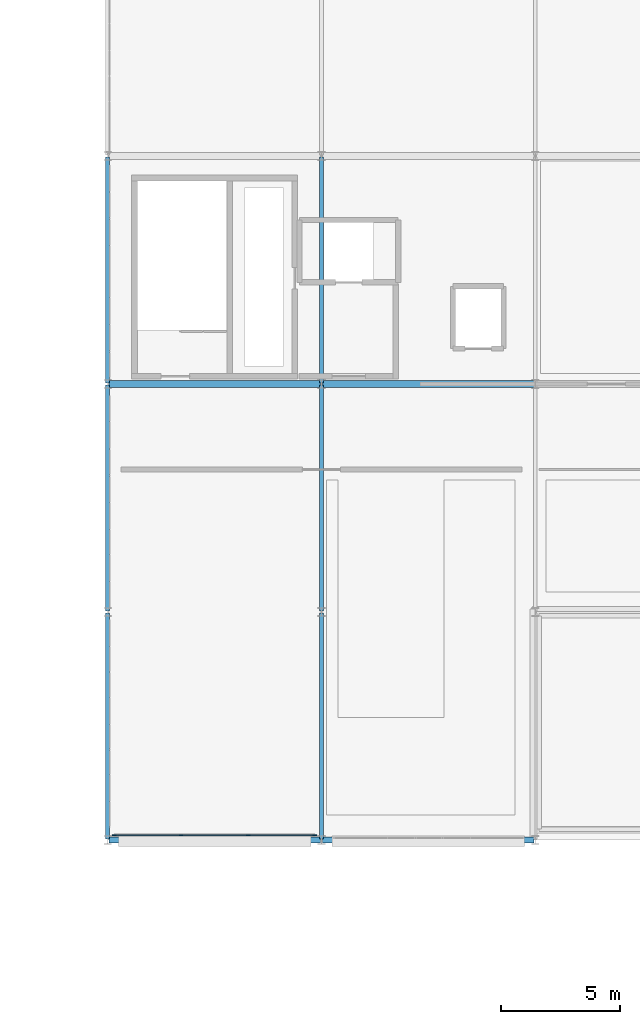
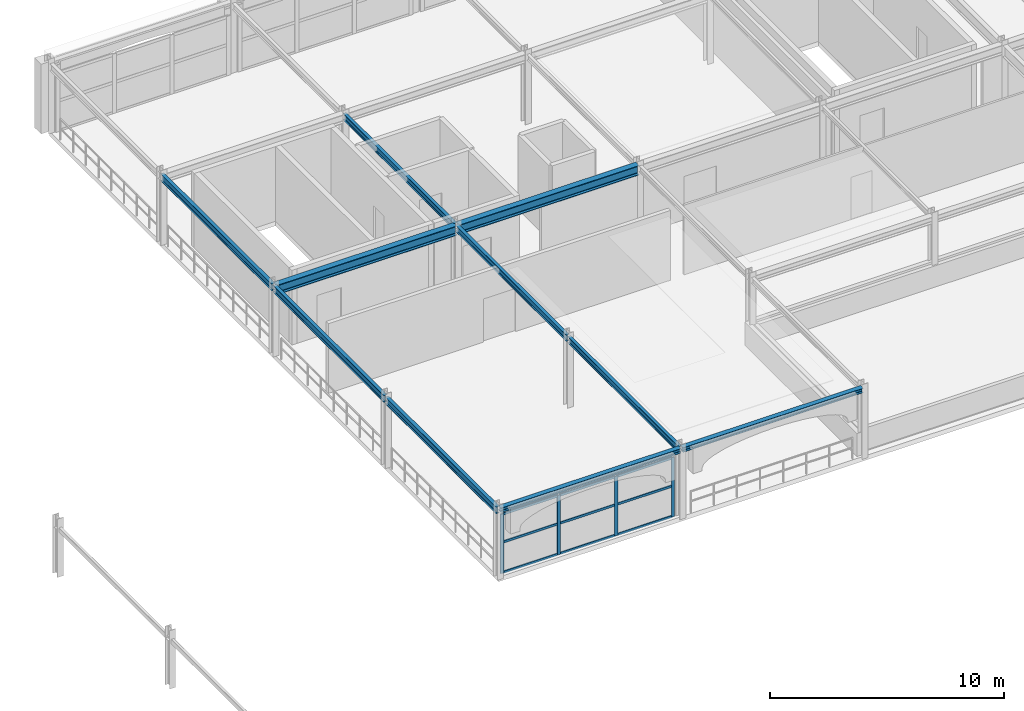
# One storey, part 10 of 25: 13 members, 10 beams, 1 element without a shape of its own.
"""IFC4 building model written with IfcOpenShell, lengths in metres."""

from ifc_helpers import new_model, si_unit, direction, frame, origin, origin_2d, place, context, subcontext, project, spatial, rectangle, i_section, extrude, material, layer, layer_set, material_profile, profile_set, type_object, element, aggregate, save


model = new_model("IFC4")

# Units and contexts
model_context = context("Model", 3, precision=1e-05, world=origin(), true_north=direction((0.0, 1.0)))
body_context = subcontext(model_context, "Body", "Model", "MODEL_VIEW")
ifc_project = project(units=[si_unit("LENGTHUNIT", "METRE"), si_unit("AREAUNIT", "SQUARE_METRE"), si_unit("VOLUMEUNIT", "CUBIC_METRE"), si_unit("PLANEANGLEUNIT", "RADIAN"), si_unit("MASSUNIT", "GRAM", prefix="KILO")], contexts=[model_context])

# Site, building, storey
site_placement = place(None, origin())
site = spatial("IfcSite", under=ifc_project, at=site_placement, CompositionType="ELEMENT")
building_placement = place(site_placement, origin())
building = spatial("IfcBuilding", under=site, at=building_placement, Name="Myrtia Square Station", CompositionType="ELEMENT")
storey_placement = place(building_placement, frame((0.0, 0.0, 18.89990234375)))
storey = spatial("IfcBuildingStorey", under=building, at=storey_placement, Name="L04", CompositionType="ELEMENT", Elevation=18.89990234375)

# Beams
ifc_material_1 = material(Name="Steel S355", Category="steel")
ifc_material_profile_1 = material_profile(ifc_material_1, i_section(OverallWidth=0.300048828125, OverallDepth=0.5, WebThickness=0.014404296875, FlangeThickness=0.028076171875, FilletRadius=0.027099609375, at=origin_2d()), Name="HEB 500")
ifc_profile_set_1 = profile_set([ifc_material_profile_1], Name="Steel S355")
beam_type_1 = type_object("IfcBeamType", Name="BM-HEB500", PredefinedType="BEAM", material=ifc_profile_set_1)
for number, where, z_axis, x_axis, name in (
    (1, (126.050048828125, 105.60009765625, 3.405029296875), (1.0, 0.0, 0.0), (0.0, 1.0, 0.0), "Structural girder BMX-L04-0880"),
    (2, (135.050048828125, 105.60009765625, 3.405029296875), (1.0, 0.0, 0.0), (0.0, 1.0, 0.0), "Structural girder BMX-L04-0881"),
):
    element("IfcBeam", number, at=place(storey_placement, frame(where, z_axis=z_axis, x_axis=x_axis)), inside=storey, type_object=beam_type_1, Name=name, PredefinedType="BEAM", context=body_context, shape_type="SweptSolid", body=[
        extrude(i_section(OverallWidth=0.300048828125, OverallDepth=0.5, WebThickness=0.014404296875, FlangeThickness=0.028076171875, FilletRadius=0.027099609375, at=origin_2d()), origin(), (0.0, 0.0, 1.0), 8.89990234375),
    ])
ifc_material_profile_2 = material_profile(ifc_material_1, i_section(OverallWidth=0.159912109375, OverallDepth=0.330078125, WebThickness=0.007568359375, FlangeThickness=0.011474609375, FilletRadius=0.01806640625, at=origin_2d()), Name="IPE 330")
ifc_profile_set_2 = profile_set([ifc_material_profile_2], Name="Steel S355")
beam_type_2 = type_object("IfcBeamType", Name="BM-IPE330", PredefinedType="BEAM", material=ifc_profile_set_2)
for number, where, z_axis, x_axis, name in (
    (3, (135.0, 86.449951171875, 3.489990234375), (0.0, 1.0, 0.0), (-1.0, 0.0, 0.0), "Structural girder BMY-L04-0898"),
    (4, (135.0, 96.050048828125, 3.489990234375), (0.0, 1.0, 0.0), (-1.0, 0.0, 0.0), "Structural girder BMY-L04-0899"),
    (5, (135.0, 105.64990234375, 3.489990234375), (0.0, 1.0, 0.0), (-1.0, 0.0, 0.0), "Structural girder BMY-L04-0900"),
):
    element("IfcBeam", number, at=place(storey_placement, frame(where, z_axis=z_axis, x_axis=x_axis)), inside=storey, type_object=beam_type_2, Name=name, PredefinedType="BEAM", context=body_context, shape_type="SweptSolid", body=[
        extrude(i_section(OverallWidth=0.159912109375, OverallDepth=0.330078125, WebThickness=0.007568359375, FlangeThickness=0.011474609375, FilletRadius=0.01806640625, at=origin_2d()), origin(), (0.0, 0.0, 1.0), 9.5),
    ])
ifc_material_profile_3 = material_profile(ifc_material_1, i_section(OverallWidth=0.169921875, OverallDepth=0.360107421875, WebThickness=0.008056640625, FlangeThickness=0.0126953125, FilletRadius=0.01806640625, at=origin_2d()), Name="IPE 360")
ifc_profile_set_3 = profile_set([ifc_material_profile_3], Name="Steel S355")
beam_type_3 = type_object("IfcBeamType", Name="BM-IPE360", PredefinedType="BEAM", material=ifc_profile_set_3)
for number, where, z_axis, x_axis, name in (
    (6, (126.0, 86.449951171875, 3.47509765625), (0.0, 1.0, 0.0), (-1.0, 0.0, 0.0), "Structural girder BMY-L04-0894"),
    (7, (126.0, 96.050048828125, 3.47509765625), (0.0, 1.0, 0.0), (-1.0, 0.0, 0.0), "Structural girder BMY-L04-0895"),
    (8, (126.0, 105.64990234375, 3.47509765625), (0.0, 1.0, 0.0), (-1.0, 0.0, 0.0), "Structural girder BMY-L04-0896"),
):
    element("IfcBeam", number, at=place(storey_placement, frame(where, z_axis=z_axis, x_axis=x_axis)), inside=storey, type_object=beam_type_3, Name=name, PredefinedType="BEAM", context=body_context, shape_type="SweptSolid", body=[
        extrude(i_section(OverallWidth=0.169921875, OverallDepth=0.360107421875, WebThickness=0.008056640625, FlangeThickness=0.0126953125, FilletRadius=0.01806640625, at=origin_2d()), origin(), (0.0, 0.0, 1.0), 9.5),
    ])

# Curtain wall, members
ifc_material_2 = material(Name="Dark bronze anodised aluminium", Category="aluminium")
ifc_layer = layer(ifc_material_2, 0.159912109375, Name="Dark bronze anodised aluminium")
ifc_layer_set = layer_set([ifc_layer], Name="Dark bronze anodised aluminium")
curtain_wall_type = type_object("IfcCurtainWallType", Name="CW-TYPE-43-850x310", PredefinedType="USERDEFINED", material=ifc_layer_set)
curtain_wall_placement = place(storey_placement, origin())
curtain_wall = element("IfcCurtainWall", 9, at=curtain_wall_placement, inside=storey, type_object=curtain_wall_type, Name="Concourse curtain wall CW-L04-122", ObjectType="CONCOURSE CURTAIN WALL", PredefinedType="USERDEFINED")
ifc_material_profile_4 = material_profile(ifc_material_2, rectangle(XDim=0.06005859375, YDim=0.159912109375, at=origin_2d()), Name="ALU-M 60x160")
ifc_profile_set_4 = profile_set([ifc_material_profile_4], Name="Dark bronze anodised aluminium")
member_type_1 = type_object("IfcMemberType", Name="CWM-60x160", PredefinedType="MULLION", material=ifc_profile_set_4)
member_1_placement = place(storey_placement, frame((126.280029296875, 86.60009765625, 0.0), z_axis=(0.0, 0.0, 1.0), x_axis=(0.0, 1.0, 0.0)))
member_1 = element("IfcMember", 10, at=member_1_placement, type_object=member_type_1, Name="CW-122 mullion 1", PredefinedType="MULLION", context=body_context, shape_type="SweptSolid", body=[
    extrude(rectangle(XDim=0.06005859375, YDim=0.159912109375, at=origin_2d()), origin(), (0.0, 0.0, 1.0), 3.10009765625),
])
member_2_placement = place(storey_placement, frame((129.083251953125, 86.60009765625, 0.0), z_axis=(0.0, 0.0, 1.0), x_axis=(0.0, 1.0, 0.0)))
member_2 = element("IfcMember", 11, at=member_2_placement, type_object=member_type_1, Name="CW-122 mullion 2", PredefinedType="MULLION", context=body_context, shape_type="SweptSolid", body=[
    extrude(rectangle(XDim=0.06005859375, YDim=0.159912109375, at=origin_2d()), origin(), (0.0, 0.0, 1.0), 3.10009765625),
])
member_3_placement = place(storey_placement, frame((131.916748046875, 86.60009765625, 0.0), z_axis=(0.0, 0.0, 1.0), x_axis=(0.0, 1.0, 0.0)))
member_3 = element("IfcMember", 12, at=member_3_placement, type_object=member_type_1, Name="CW-122 mullion 3", PredefinedType="MULLION", context=body_context, shape_type="SweptSolid", body=[
    extrude(rectangle(XDim=0.06005859375, YDim=0.159912109375, at=origin_2d()), origin(), (0.0, 0.0, 1.0), 3.10009765625),
])
member_4_placement = place(storey_placement, frame((134.719970703125, 86.60009765625, 0.0), z_axis=(0.0, 0.0, 1.0), x_axis=(0.0, 1.0, 0.0)))
member_4 = element("IfcMember", 13, at=member_4_placement, type_object=member_type_1, Name="CW-122 mullion 4", PredefinedType="MULLION", context=body_context, shape_type="SweptSolid", body=[
    extrude(rectangle(XDim=0.06005859375, YDim=0.159912109375, at=origin_2d()), origin(), (0.0, 0.0, 1.0), 3.10009765625),
])
ifc_material_profile_5 = material_profile(ifc_material_2, rectangle(XDim=0.06005859375, YDim=0.1201171875, at=origin_2d()), Name="ALU-T 60x120")
ifc_profile_set_5 = profile_set([ifc_material_profile_5], Name="Dark bronze anodised aluminium")
member_type_2 = type_object("IfcMemberType", Name="CWT-60x120", PredefinedType="USERDEFINED", material=ifc_profile_set_5)
member_5_placement = place(storey_placement, frame((126.31005859375, 86.60009765625, 0.030029296875), z_axis=(1.0, 0.0, 0.0), x_axis=(0.0, 1.0, 0.0)))
member_5 = element("IfcMember", 14, at=member_5_placement, type_object=member_type_2, Name="CW-122 transom 1.1", ObjectType="TRANSOM", PredefinedType="USERDEFINED", context=body_context, shape_type="SweptSolid", body=[
    extrude(rectangle(XDim=0.06005859375, YDim=0.1201171875, at=origin_2d()), origin(), (0.0, 0.0, 1.0), 2.7431640625),
])
member_6_placement = place(storey_placement, frame((126.31005859375, 86.60009765625, 1.612060546875), z_axis=(1.0, 0.0, 0.0), x_axis=(0.0, 1.0, 0.0)))
member_6 = element("IfcMember", 15, at=member_6_placement, type_object=member_type_2, Name="CW-122 transom 1.2", ObjectType="TRANSOM", PredefinedType="USERDEFINED", context=body_context, shape_type="SweptSolid", body=[
    extrude(rectangle(XDim=0.06005859375, YDim=0.1201171875, at=origin_2d()), origin(), (0.0, 0.0, 1.0), 2.7431640625),
])
member_7_placement = place(storey_placement, frame((126.31005859375, 86.60009765625, 3.070068359375), z_axis=(1.0, 0.0, 0.0), x_axis=(0.0, 1.0, 0.0)))
member_7 = element("IfcMember", 16, at=member_7_placement, type_object=member_type_2, Name="CW-122 transom 1.3", ObjectType="TRANSOM", PredefinedType="USERDEFINED", context=body_context, shape_type="SweptSolid", body=[
    extrude(rectangle(XDim=0.06005859375, YDim=0.1201171875, at=origin_2d()), origin(), (0.0, 0.0, 1.0), 2.7431640625),
])
member_8_placement = place(storey_placement, frame((129.11328125, 86.60009765625, 0.030029296875), z_axis=(1.0, 0.0, 0.0), x_axis=(0.0, 1.0, 0.0)))
member_8 = element("IfcMember", 17, at=member_8_placement, type_object=member_type_2, Name="CW-122 transom 2.1", ObjectType="TRANSOM", PredefinedType="USERDEFINED", context=body_context, shape_type="SweptSolid", body=[
    extrude(rectangle(XDim=0.06005859375, YDim=0.1201171875, at=origin_2d()), origin(), (0.0, 0.0, 1.0), 2.7734375),
])
member_9_placement = place(storey_placement, frame((129.11328125, 86.60009765625, 1.612060546875), z_axis=(1.0, 0.0, 0.0), x_axis=(0.0, 1.0, 0.0)))
member_9 = element("IfcMember", 18, at=member_9_placement, type_object=member_type_2, Name="CW-122 transom 2.2", ObjectType="TRANSOM", PredefinedType="USERDEFINED", context=body_context, shape_type="SweptSolid", body=[
    extrude(rectangle(XDim=0.06005859375, YDim=0.1201171875, at=origin_2d()), origin(), (0.0, 0.0, 1.0), 2.7734375),
])
member_10_placement = place(storey_placement, frame((129.11328125, 86.60009765625, 3.070068359375), z_axis=(1.0, 0.0, 0.0), x_axis=(0.0, 1.0, 0.0)))
member_10 = element("IfcMember", 19, at=member_10_placement, type_object=member_type_2, Name="CW-122 transom 2.3", ObjectType="TRANSOM", PredefinedType="USERDEFINED", context=body_context, shape_type="SweptSolid", body=[
    extrude(rectangle(XDim=0.06005859375, YDim=0.1201171875, at=origin_2d()), origin(), (0.0, 0.0, 1.0), 2.7734375),
])
member_11_placement = place(storey_placement, frame((131.94677734375, 86.60009765625, 0.030029296875), z_axis=(1.0, 0.0, 0.0), x_axis=(0.0, 1.0, 0.0)))
member_11 = element("IfcMember", 20, at=member_11_placement, type_object=member_type_2, Name="CW-122 transom 3.1", ObjectType="TRANSOM", PredefinedType="USERDEFINED", context=body_context, shape_type="SweptSolid", body=[
    extrude(rectangle(XDim=0.06005859375, YDim=0.1201171875, at=origin_2d()), origin(), (0.0, 0.0, 1.0), 2.7431640625),
])
member_12_placement = place(storey_placement, frame((131.94677734375, 86.60009765625, 1.612060546875), z_axis=(1.0, 0.0, 0.0), x_axis=(0.0, 1.0, 0.0)))
member_12 = element("IfcMember", 21, at=member_12_placement, type_object=member_type_2, Name="CW-122 transom 3.2", ObjectType="TRANSOM", PredefinedType="USERDEFINED", context=body_context, shape_type="SweptSolid", body=[
    extrude(rectangle(XDim=0.06005859375, YDim=0.1201171875, at=origin_2d()), origin(), (0.0, 0.0, 1.0), 2.7431640625),
])
member_13_placement = place(storey_placement, frame((131.94677734375, 86.60009765625, 3.070068359375), z_axis=(1.0, 0.0, 0.0), x_axis=(0.0, 1.0, 0.0)))
member_13 = element("IfcMember", 22, at=member_13_placement, type_object=member_type_2, Name="CW-122 transom 3.3", ObjectType="TRANSOM", PredefinedType="USERDEFINED", context=body_context, shape_type="SweptSolid", body=[
    extrude(rectangle(XDim=0.06005859375, YDim=0.1201171875, at=origin_2d()), origin(), (0.0, 0.0, 1.0), 2.7431640625),
])
aggregate(curtain_wall, [member_1, member_2, member_3, member_4, member_5, member_6, member_7, member_8, member_9, member_10, member_11, member_12, member_13])

# Beams
ifc_material_profile_6 = material_profile(ifc_material_1, i_section(OverallWidth=0.239990234375, OverallDepth=0.239990234375, WebThickness=0.010009765625, FlangeThickness=0.01708984375, FilletRadius=0.02099609375, at=origin_2d()), Name="HEB 240")
ifc_profile_set_6 = profile_set([ifc_material_profile_6], Name="Steel S355")
beam_type_4 = type_object("IfcBeamType", Name="SPN-HEB240", PredefinedType="SPANDREL", material=ifc_profile_set_6)
for number, where, z_axis, x_axis, name in (
    (23, (126.050048828125, 86.39990234375, 3.53515625), (1.0, 0.0, 0.0), (0.0, 1.0, 0.0), "Structural girder SPN-L04-0260"),
    (24, (135.050048828125, 86.39990234375, 3.53515625), (1.0, 0.0, 0.0), (0.0, 1.0, 0.0), "Structural girder SPN-L04-0261"),
):
    element("IfcBeam", number, at=place(storey_placement, frame(where, z_axis=z_axis, x_axis=x_axis)), inside=storey, type_object=beam_type_4, Name=name, PredefinedType="SPANDREL", context=body_context, shape_type="SweptSolid", body=[
        extrude(i_section(OverallWidth=0.239990234375, OverallDepth=0.239990234375, WebThickness=0.010009765625, FlangeThickness=0.01708984375, FilletRadius=0.02099609375, at=origin_2d()), origin(), (0.0, 0.0, 1.0), 8.89990234375),
    ])

save(model, "model.ifc")
